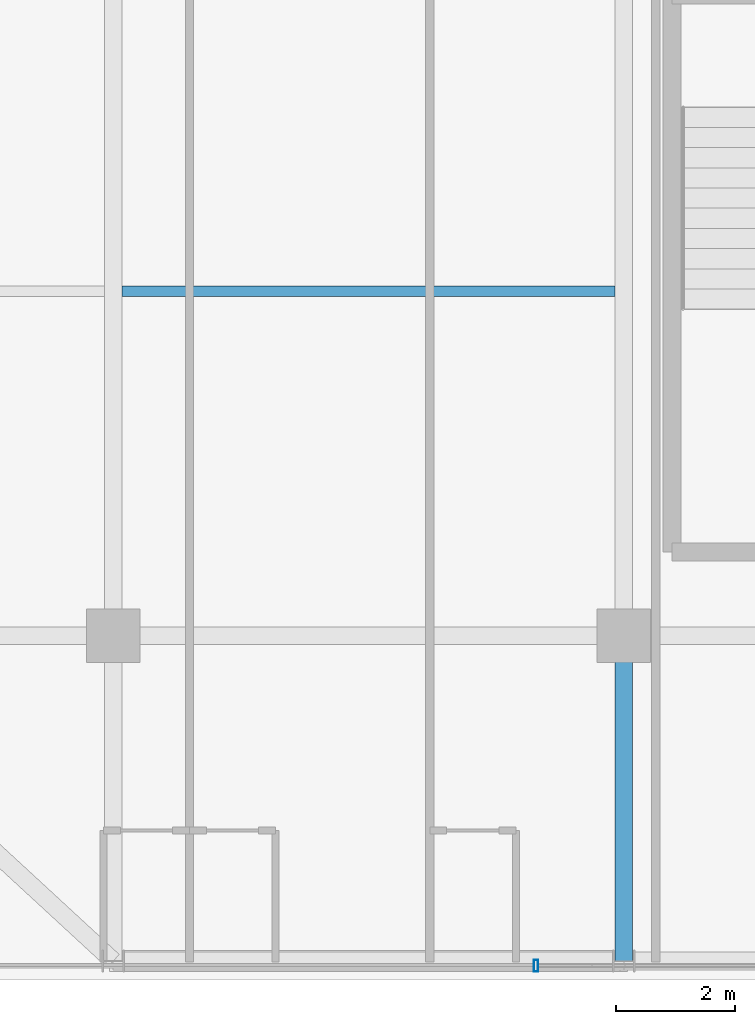
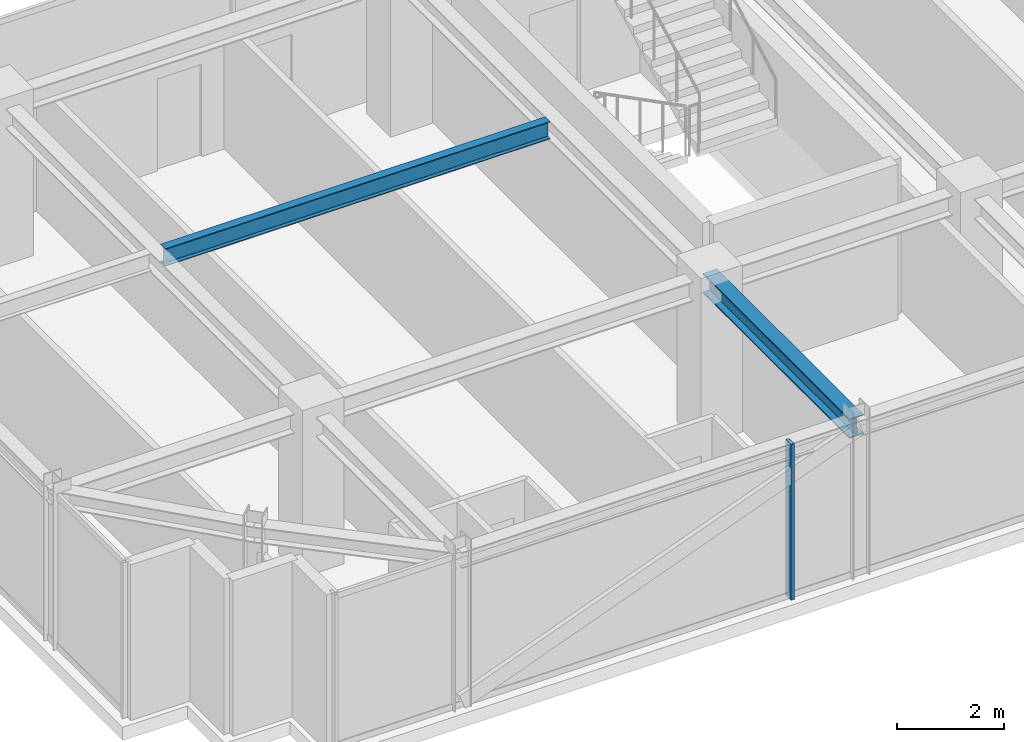
# One storey, part 7 of 41: 2 beams, 1 member, 1 element without a shape of its own.
"""IFC4 building model written with IfcOpenShell, lengths in metres."""

from ifc_helpers import new_model, si_unit, direction, frame, origin, origin_2d, place, context, subcontext, project, spatial, hollow_rectangle, i_section, extrude, source, transform, mapped, material, material_profile, profile_set, type_object, element, aggregate, save


model = new_model("IFC4")

# Units and contexts
model_context = context("Model", 3, precision=1e-05, world=origin(), true_north=direction((0.0, 1.0)))
body_context = subcontext(model_context, "Body", "Model", "MODEL_VIEW")
ifc_project = project(units=[si_unit("LENGTHUNIT", "METRE"), si_unit("AREAUNIT", "SQUARE_METRE"), si_unit("VOLUMEUNIT", "CUBIC_METRE"), si_unit("PLANEANGLEUNIT", "RADIAN"), si_unit("MASSUNIT", "GRAM", prefix="KILO")], contexts=[model_context])

# Site, building, storey
site_placement = place(None, origin())
site = spatial("IfcSite", under=ifc_project, at=site_placement, CompositionType="ELEMENT")
building_placement = place(site_placement, origin())
building = spatial("IfcBuilding", under=site, at=building_placement, Name="Nahalor Promenade Grand Hotel", CompositionType="ELEMENT")
storey_placement = place(building_placement, frame((0.0, 0.0, 304.199951171875)))
storey = spatial("IfcBuildingStorey", under=building, at=storey_placement, Name="L78", CompositionType="ELEMENT", Elevation=304.199951171875)

# Beams
ifc_material_1 = material(Name="Steel S355JR", Category="steel")
ifc_material_profile_1 = material_profile(ifc_material_1, i_section(OverallWidth=0.18, OverallDepth=0.4, WebThickness=0.0086, FlangeThickness=0.0135, at=origin_2d()), Name="IPE 400")
ifc_profile_set_1 = profile_set([ifc_material_profile_1], Name="Steel S355JR")
beam_type_1 = type_object("IfcBeamType", Name="Beam-Joist-IPE400", PredefinedType="JOIST", material=ifc_profile_set_1)
shared_shape_1 = source(origin(), body_context, "Body", "SweptSolid", [
    extrude(i_section(OverallWidth=0.18, OverallDepth=0.4, WebThickness=0.0086, FlangeThickness=0.0135, at=origin_2d()), origin(), (0.0, 0.0, 1.0), 8.300048828125),
])
beam_1_placement = place(storey_placement, frame((-16.85009765625, -11.199951171875, 3.35009765625), z_axis=(1.0, 0.0, 0.0), x_axis=(0.0, 1.0, 0.0)))
element("IfcBeam", 1, at=beam_1_placement, inside=storey, type_object=beam_type_1, Name="BM-L78-JSW-0-1", PredefinedType="JOIST", context=body_context, shape_type="MappedRepresentation", body=[
    mapped(shared_shape_1, transform((0.0, 0.0, 0.0), scale=1.0)),
])
ifc_material_profile_2 = material_profile(ifc_material_1, i_section(OverallWidth=0.3, OverallDepth=0.45, WebThickness=0.014, FlangeThickness=0.026, at=origin_2d()), Name="HEB 450")
ifc_profile_set_2 = profile_set([ifc_material_profile_2], Name="Steel S355JR")
beam_type_2 = type_object("IfcBeamType", Name="Beam-Girder-HEB450", PredefinedType="BEAM", material=ifc_profile_set_2)
shared_shape_2 = source(origin(), body_context, "Body", "SweptSolid", [
    extrude(i_section(OverallWidth=0.3, OverallDepth=0.45, WebThickness=0.014, FlangeThickness=0.026, at=origin_2d()), origin(), (0.0, 0.0, 1.0), 5.47998046875),
])
beam_2_placement = place(storey_placement, frame((-8.39990234375, -22.47998046875, 3.324951171875), z_axis=(0.0, 1.0, 0.0), x_axis=(-1.0, 0.0, 0.0)))
element("IfcBeam", 2, at=beam_2_placement, inside=storey, type_object=beam_type_2, Name="BM-L78-GY-1-0", PredefinedType="BEAM", context=body_context, shape_type="MappedRepresentation", body=[
    mapped(shared_shape_2, transform((0.0, 0.0, 0.0), scale=1.0)),
])

# Curtain wall, member
ifc_material_2 = material(Name="Anodised Bronze Aluminium EN AW-6063 T6", Category="aluminium")
curtain_wall_type = type_object("IfcCurtainWallType", Name="CW3 Elliptical-Void Collar Unitised Curtain Wall", PredefinedType="USERDEFINED", material=ifc_material_2)
curtain_wall_placement = place(storey_placement, origin())
curtain_wall = element("IfcCurtainWall", 3, at=curtain_wall_placement, inside=storey, type_object=curtain_wall_type, Name="L78 Curtain Wall CW-L78-S-1", ObjectType="UNITISED_CURTAIN_WALL", PredefinedType="USERDEFINED")
ifc_material_profile_3 = material_profile(ifc_material_2, hollow_rectangle(XDim=0.07, YDim=0.2, WallThickness=0.005, at=origin_2d()), Name="CWM 70x200x5")
ifc_profile_set_3 = profile_set([ifc_material_profile_3], Name="Anodised Bronze Aluminium EN AW-6063 T6")
member_type = type_object("IfcMemberType", Name="CWM3 Void Collar Mullion 70x200", PredefinedType="MULLION", material=ifc_profile_set_3)
shared_shape_3 = source(origin(), body_context, "Body", "SweptSolid", [
    extrude(hollow_rectangle(XDim=0.07, YDim=0.2, WallThickness=0.005, at=origin_2d()), origin(), (0.0, 0.0, 1.0), 3.550048828125),
])
member_placement = place(storey_placement, frame((-9.8798828125, -22.56005859375, 0.0), z_axis=(0.0, 0.0, 1.0), x_axis=(1.0, 0.0, 0.0)))
member = element("IfcMember", 4, at=member_placement, type_object=member_type, Name="CW-L78-S-1 Mullion 1", PredefinedType="MULLION", context=body_context, shape_type="MappedRepresentation", body=[
    mapped(shared_shape_3, transform((0.0, 0.0, 0.0), scale=1.0)),
])
aggregate(curtain_wall, [member])

save(model, "model.ifc")
